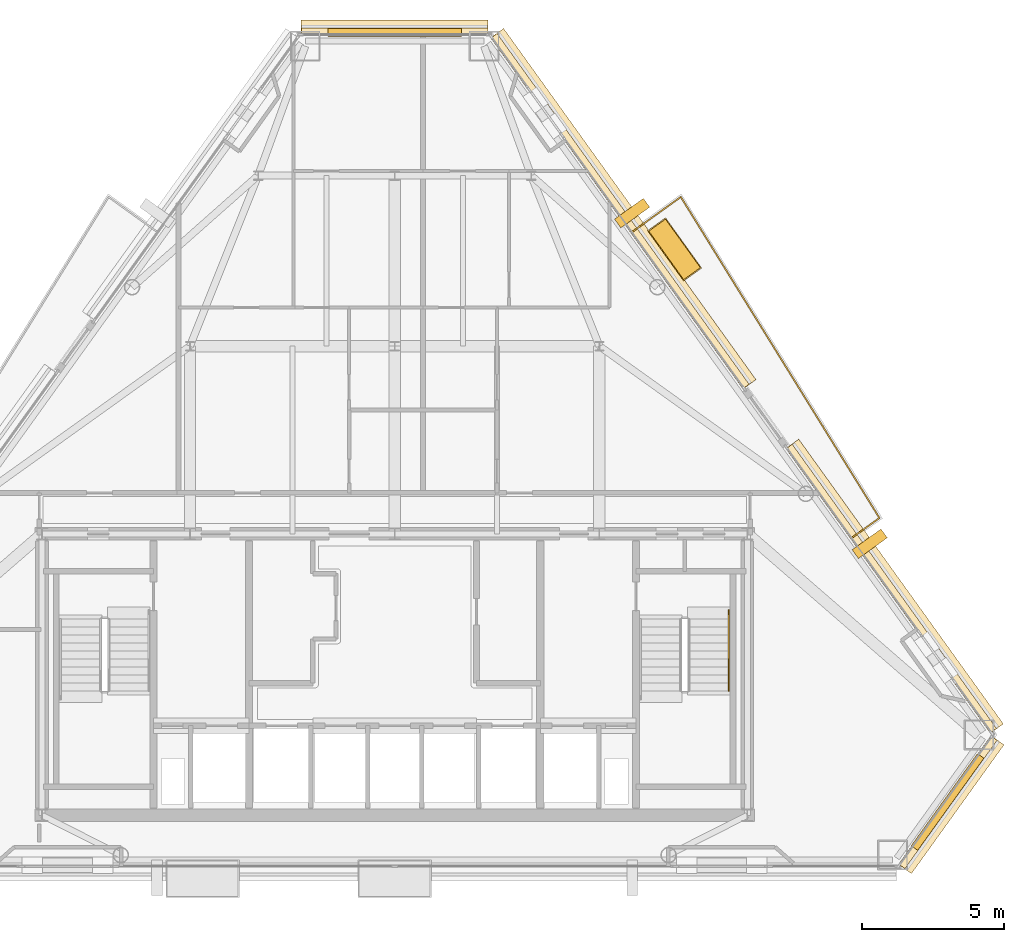
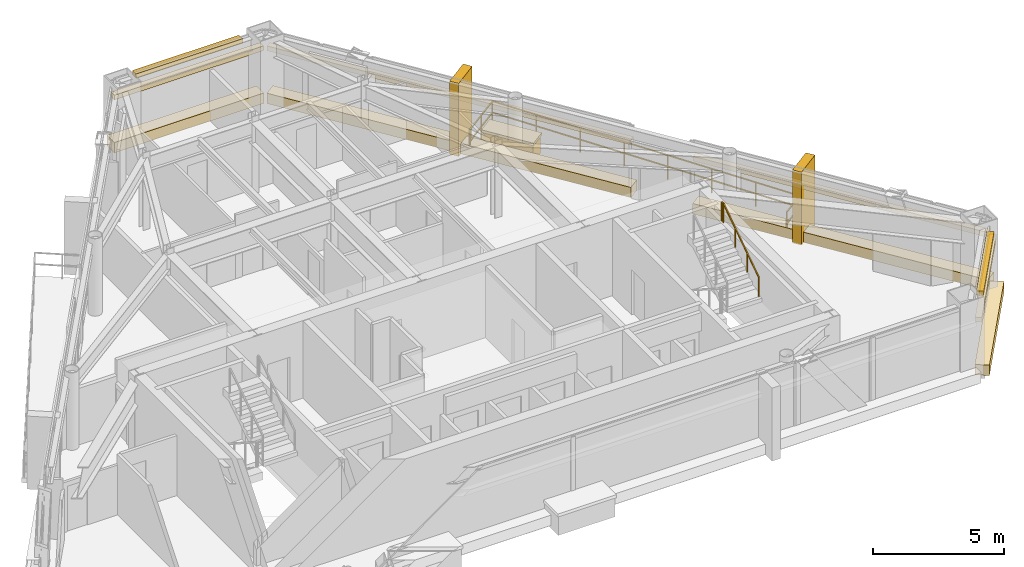
# One storey, part 11 of 11: 12 coverings, 2 railings, 2 shading devices.
"""IFC4 building model written with IfcOpenShell, lengths in metres."""

from ifc_helpers import new_model, si_unit, direction, frame, origin, origin_2d, place, context, subcontext, project, spatial, rectangle, extrude, source, transform, mapped, material, layer, layer_set, type_object, type_shapes, element, save


model = new_model("IFC4")

# Units and contexts
model_context = context("Model", 3, precision=1e-05, world=origin(), true_north=direction((0.0, 1.0)))
body_context = subcontext(model_context, "Body", "Model", "MODEL_VIEW")
ifc_project = project(units=[si_unit("LENGTHUNIT", "METRE"), si_unit("AREAUNIT", "SQUARE_METRE"), si_unit("VOLUMEUNIT", "CUBIC_METRE"), si_unit("PLANEANGLEUNIT", "RADIAN"), si_unit("MASSUNIT", "GRAM", prefix="KILO")], contexts=[model_context])

# Site, building, storey
site_placement = place(None, origin())
site = spatial("IfcSite", under=ifc_project, at=site_placement, CompositionType="ELEMENT")
building_placement = place(site_placement, origin())
building = spatial("IfcBuilding", under=site, at=building_placement, Name="Talgorran Terracotta Tower", CompositionType="ELEMENT")
storey_placement = place(building_placement, frame((0.0, 0.0, 210.89990234375)))
storey = spatial("IfcBuildingStorey", under=building, at=storey_placement, Name="L55", CompositionType="ELEMENT", Elevation=210.89990234375)

# Coverings
ifc_material_1 = material(Name="Kiln-Fired Terracotta Ochre Ceramic", Category="masonry")
ifc_layer_1 = layer(ifc_material_1, 0.179931640625, Name="COV_BAGUETTE_TERRACOTTA_SCREEN")
ifc_layer_set_1 = layer_set([ifc_layer_1], Name="Kiln-Fired Terracotta Ochre Ceramic")
covering_type_1 = type_object("IfcCoveringType", Name="COV_BAGUETTE_TERRACOTTA_SCREEN", PredefinedType="CLADDING", material=ifc_layer_set_1)
covering_1_placement = place(storey_placement, frame((19.459716796875, -13.6416015625, 2.41015625), z_axis=(0.0, 0.0, 1.0), x_axis=(0.583555384799, 0.812073342053, 0.0)))
element("IfcCovering", 1, at=covering_1_placement, inside=storey, type_object=covering_type_1, Name="L55 Terracotta Baguette Solar Screen Assembly F2", PredefinedType="CLADDING", context=body_context, shape_type="SweptSolid", body=[
    extrude(rectangle(XDim=5.557861328125, YDim=0.260009765625, at=origin_2d()), origin(), (0.0, 0.0, 1.0), 0.219970703125),
])
covering_2_placement = place(storey_placement, frame((17.466552734375, -6.1240234375, 2.41015625), z_axis=(0.0, 0.0, 1.0), x_axis=(-0.583555384799, 0.812073342053, 0.0)))
element("IfcCovering", 2, at=covering_2_placement, inside=storey, type_object=covering_type_1, Name="L55 Terracotta Baguette Solar Screen Assembly F40", PredefinedType="CLADDING", context=body_context, shape_type="SweptSolid", body=[
    extrude(rectangle(XDim=12.30859375, YDim=0.260009765625, at=origin_2d()), origin(), (0.0, 0.0, 1.0), 0.219970703125),
])
covering_3_placement = place(storey_placement, frame((7.926513671875, 7.15185546875, 2.41015625), z_axis=(0.0, 0.0, 1.0), x_axis=(-0.583555384799, 0.812073342053, 0.0)))
element("IfcCovering", 3, at=covering_3_placement, inside=storey, type_object=covering_type_1, Name="L55 Terracotta Baguette Solar Screen Assembly F41", PredefinedType="CLADDING", context=body_context, shape_type="SweptSolid", body=[
    extrude(rectangle(XDim=15.187744140625, YDim=0.260009765625, at=origin_2d()), origin(), (0.0, 0.0, 1.0), 0.219970703125),
])
covering_4_placement = place(storey_placement, frame((0.0, 13.44970703125, 2.41015625), z_axis=(0.0, 0.0, 1.0), x_axis=(-1.0, 0.0, 0.0)))
element("IfcCovering", 4, at=covering_4_placement, inside=storey, type_object=covering_type_1, Name="L55 Terracotta Baguette Solar Screen Assembly F4", PredefinedType="CLADDING", context=body_context, shape_type="SweptSolid", body=[
    extrude(rectangle(XDim=6.5595703125, YDim=0.260009765625, at=origin_2d()), origin(), (0.0, 0.0, 1.0), 0.219970703125),
])
ifc_material_2 = material(Name="Honed Limestone and Terracotta Planter", Category="masonry")
ifc_layer_2 = layer(ifc_material_2, 0.1201171875, Name="COV_PLANTER_BOX")
ifc_layer_set_2 = layer_set([ifc_layer_2], Name="Honed Limestone and Terracotta Planter")
covering_type_2 = type_object("IfcCoveringType", Name="COV_PLANTER_BOX", PredefinedType="CLADDING", material=ifc_layer_set_2)
covering_5_placement = place(storey_placement, frame((9.84423828125, 5.802734375, -0.02001953125), z_axis=(0.0, 0.0, 1.0), x_axis=(-0.583555384799, 0.812073342053, 0.0)))
element("IfcCovering", 5, at=covering_5_placement, inside=storey, type_object=covering_type_2, Name="L55 Staggered Balcony Planter Box BAL-NE", PredefinedType="CLADDING", context=body_context, shape_type="SweptSolid", body=[
    extrude(rectangle(XDim=2.10009765625, YDim=0.719970703125, at=origin_2d()), origin(), (0.0, 0.0, 1.0), 0.860107421875),
])
ifc_material_3 = material(Name="Kiln-Fired Terracotta Planter Rim", Category="masonry")
ifc_layer_3 = layer(ifc_material_3, 0.10009765625, Name="COV_PLANTER_RIM")
ifc_layer_set_3 = layer_set([ifc_layer_3], Name="Kiln-Fired Terracotta Planter Rim")
covering_type_3 = type_object("IfcCoveringType", Name="COV_PLANTER_RIM", PredefinedType="CLADDING", material=ifc_layer_set_3)
covering_6_placement = place(storey_placement, frame((9.84423828125, 5.802734375, 0.800048828125), z_axis=(0.0, 0.0, 1.0), x_axis=(-0.583555384799, 0.812073342053, 0.0)))
element("IfcCovering", 6, at=covering_6_placement, inside=storey, type_object=covering_type_3, Name="L55 Balcony Planter Terracotta Rim BAL-NE", PredefinedType="CLADDING", context=body_context, shape_type="SweptSolid", body=[
    extrude(rectangle(XDim=2.179931640625, YDim=0.780029296875, at=origin_2d()), origin(), (0.0, 0.0, 1.0), 0.1201171875),
])
ifc_material_4 = material(Name="Honed Limestone Cladding", Category="masonry")
ifc_layer_4 = layer(ifc_material_4, 0.094970703125, Name="COV_PORTAL_LIME")
ifc_layer_set_4 = layer_set([ifc_layer_4], Name="Honed Limestone Cladding")
covering_type_4 = type_object("IfcCoveringType", Name="COV_PORTAL_LIME", PredefinedType="CLADDING", material=ifc_layer_set_4)
covering_7_placement = place(storey_placement, frame((16.705078125, -4.55029296875, -0.0498046875), z_axis=(0.0, 0.0, 1.0), x_axis=(-0.583555384799, 0.812073342053, 0.0)))
element("IfcCovering", 7, at=covering_7_placement, inside=storey, type_object=covering_type_4, Name="L55 White Striped Portal Fin F3-1", PredefinedType="CLADDING", context=body_context, shape_type="SweptSolid", body=[
    extrude(rectangle(XDim=0.3798828125, YDim=1.25, at=origin_2d()), origin(), (0.0, 0.0, 1.0), 3.39501953125),
])
ifc_material_5 = material(Name="Kiln-Fired Terracotta Cladding", Category="masonry")
ifc_layer_5 = layer(ifc_material_5, 0.090087890625, Name="COV_PORTAL_TERRA")
ifc_layer_set_5 = layer_set([ifc_layer_5], Name="Kiln-Fired Terracotta Cladding")
covering_type_5 = type_object("IfcCoveringType", Name="COV_PORTAL_TERRA", PredefinedType="CLADDING", material=ifc_layer_set_5)
covering_8_placement = place(storey_placement, frame((19.5732421875, -13.72314453125, -0.039794921875), z_axis=(0.0, 0.0, 1.0), x_axis=(0.583555384799, 0.812073342053, 0.0)))
element("IfcCovering", 8, at=covering_8_placement, inside=storey, type_object=covering_type_5, Name="L55 Striped Postmodern Portal Cladding Band F2", PredefinedType="CLADDING", context=body_context, shape_type="SweptSolid", body=[
    extrude(rectangle(XDim=5.577880859375, YDim=0.56005859375, at=origin_2d()), origin(), (0.0, 0.0, 1.0), 0.47998046875),
])
covering_9_placement = place(storey_placement, frame((17.580322265625, -6.04248046875, -0.039794921875), z_axis=(0.0, 0.0, 1.0), x_axis=(-0.583555384799, 0.812073342053, 0.0)))
element("IfcCovering", 9, at=covering_9_placement, inside=storey, type_object=covering_type_5, Name="L55 Striped Postmodern Portal Cladding Band F40", PredefinedType="CLADDING", context=body_context, shape_type="SweptSolid", body=[
    extrude(rectangle(XDim=12.32861328125, YDim=0.56005859375, at=origin_2d()), origin(), (0.0, 0.0, 1.0), 0.47998046875),
])
covering_10_placement = place(storey_placement, frame((8.040283203125, 7.2333984375, -0.039794921875), z_axis=(0.0, 0.0, 1.0), x_axis=(-0.583555384799, 0.812073342053, 0.0)))
element("IfcCovering", 10, at=covering_10_placement, inside=storey, type_object=covering_type_5, Name="L55 Striped Postmodern Portal Cladding Band F41", PredefinedType="CLADDING", context=body_context, shape_type="SweptSolid", body=[
    extrude(rectangle(XDim=15.207763671875, YDim=0.56005859375, at=origin_2d()), origin(), (0.0, 0.0, 1.0), 0.47998046875),
])
covering_11_placement = place(storey_placement, frame((0.0, 13.589599609375, -0.039794921875), z_axis=(0.0, 0.0, 1.0), x_axis=(-1.0, 0.0, 0.0)))
element("IfcCovering", 11, at=covering_11_placement, inside=storey, type_object=covering_type_5, Name="L55 Striped Postmodern Portal Cladding Band F4", PredefinedType="CLADDING", context=body_context, shape_type="SweptSolid", body=[
    extrude(rectangle(XDim=6.57958984375, YDim=0.56005859375, at=origin_2d()), origin(), (0.0, 0.0, 1.0), 0.47998046875),
])
covering_12_placement = place(storey_placement, frame((8.349609375, 7.0771484375, -0.0498046875), z_axis=(0.0, 0.0, 1.0), x_axis=(-0.583555384799, 0.812073342053, 0.0)))
element("IfcCovering", 12, at=covering_12_placement, inside=storey, type_object=covering_type_5, Name="L55 Terracotta Striped Portal Fin F3-2", PredefinedType="CLADDING", context=body_context, shape_type="SweptSolid", body=[
    extrude(rectangle(XDim=0.3798828125, YDim=1.25, at=origin_2d()), origin(), (0.0, 0.0, 1.0), 3.39501953125),
])

# Railings
ifc_material_6 = material(Name="Laminated Glass and Stainless Steel 316", Category="steel")
railing_type_1 = type_object("IfcRailingType", Name="RL_BALCONY_1150", PredefinedType="BALUSTRADE", material=ifc_material_6)
railing_1_placement = place(storey_placement, frame((16.0830078125, -4.3359375, 0.0)))
element("IfcRailing", 13, at=railing_1_placement, inside=storey, type_object=railing_type_1, Name="RL-L55-BAL-BAL-NE", PredefinedType="BALUSTRADE", context=body_context, shape_type="SweptSolid", body=[
    extrude(rectangle(XDim=0.048095703125, YDim=0.048095703125, at=origin_2d()), frame((0.0, 0.0, 1.1259765625), z_axis=(0.812216313414, 0.583356374976, 0.0), x_axis=(-0.583356374976, 0.812216313414, 0.0)), (0.0, 0.0, 1.0), 1.187255859375),
    extrude(rectangle(XDim=0.048095703125, YDim=0.048095703125, at=origin_2d()), frame((0.0, 0.0, 0.597900390625), z_axis=(0.812216313414, 0.583356374976, 0.0), x_axis=(-0.583356374976, 0.812216313414, 0.0)), (0.0, 0.0, 1.0), 1.187255859375),
    extrude(rectangle(XDim=0.048095703125, YDim=0.048095703125, at=origin_2d()), frame((0.96435546875, 0.692626953125, 1.1259765625), z_axis=(-0.526168473282, 0.850380348858, 0.0), x_axis=(-0.850380348858, -0.526168473282, 0.0)), (0.0, 0.0, 1.0), 13.27587890625),
    extrude(rectangle(XDim=0.048095703125, YDim=0.048095703125, at=origin_2d()), frame((0.96435546875, 0.692626953125, 0.597900390625), z_axis=(-0.526168473282, 0.850380348858, 0.0), x_axis=(-0.850380348858, -0.526168473282, 0.0)), (0.0, 0.0, 1.0), 13.27587890625),
    extrude(rectangle(XDim=0.048095703125, YDim=0.048095703125, at=origin_2d()), frame((-6.02099609375, 11.982177734375, 1.1259765625), z_axis=(-0.812066955595, -0.583564272065, 0.0), x_axis=(0.583564272065, -0.812066955595, 0.0)), (0.0, 0.0, 1.0), 2.102783203125),
    extrude(rectangle(XDim=0.048095703125, YDim=0.048095703125, at=origin_2d()), frame((-6.02099609375, 11.982177734375, 0.597900390625), z_axis=(-0.812066955595, -0.583564272065, 0.0), x_axis=(0.583564272065, -0.812066955595, 0.0)), (0.0, 0.0, 1.0), 2.102783203125),
    extrude(rectangle(XDim=0.0419921875, YDim=0.0419921875, at=origin_2d()), origin(), (0.0, 0.0, 1.0), 1.101806640625),
    extrude(rectangle(XDim=0.0419921875, YDim=0.0419921875, at=origin_2d()), frame((0.96435546875, 0.692626953125, 0.0)), (0.0, 0.0, 1.0), 1.101806640625),
    extrude(rectangle(XDim=0.0419921875, YDim=0.0419921875, at=origin_2d()), frame((-0.033447265625, 2.305419921875, 0.0)), (0.0, 0.0, 1.0), 1.101806640625),
    extrude(rectangle(XDim=0.0419921875, YDim=0.0419921875, at=origin_2d()), frame((-1.031494140625, 3.918212890625, 0.0)), (0.0, 0.0, 1.0), 1.101806640625),
    extrude(rectangle(XDim=0.0419921875, YDim=0.0419921875, at=origin_2d()), frame((-2.029296875, 5.531005859375, 0.0)), (0.0, 0.0, 1.0), 1.101806640625),
    extrude(rectangle(XDim=0.0419921875, YDim=0.0419921875, at=origin_2d()), frame((-3.02734375, 7.143798828125, 0.0)), (0.0, 0.0, 1.0), 1.101806640625),
    extrude(rectangle(XDim=0.0419921875, YDim=0.0419921875, at=origin_2d()), frame((-4.025146484375, 8.756591796875, 0.0)), (0.0, 0.0, 1.0), 1.101806640625),
    extrude(rectangle(XDim=0.0419921875, YDim=0.0419921875, at=origin_2d()), frame((-5.023193359375, 10.369384765625, 0.0)), (0.0, 0.0, 1.0), 1.101806640625),
    extrude(rectangle(XDim=0.0419921875, YDim=0.0419921875, at=origin_2d()), frame((-6.02099609375, 11.982177734375, 0.0)), (0.0, 0.0, 1.0), 1.101806640625),
    extrude(rectangle(XDim=0.0419921875, YDim=0.0419921875, at=origin_2d()), frame((-6.874755859375, 11.36865234375, 0.0)), (0.0, 0.0, 1.0), 1.101806640625),
    extrude(rectangle(XDim=0.0419921875, YDim=0.0419921875, at=origin_2d()), frame((-7.728515625, 10.755126953125, 0.0)), (0.0, 0.0, 1.0), 1.101806640625),
])
ifc_material_7 = material(Name="Steel S355 (300PLUS)", Category="steel")
railing_type_2 = type_object("IfcRailingType", Name="RL_HANDRAIL_920", PredefinedType="HANDRAIL", material=ifc_material_7)
railing_2_placement = place(storey_placement, frame((11.75, -9.719970703125, 1.97998046875)))
element("IfcRailing", 14, at=railing_2_placement, inside=storey, type_object=railing_type_2, Name="L55 ST-02 stair handrail 2", PredefinedType="HANDRAIL", context=body_context, shape_type="SweptSolid", body=[
    extrude(rectangle(XDim=0.048095703125, YDim=0.048095703125, at=origin_2d()), frame((0.0, 0.0, 0.89599609375), z_axis=(0.0, 0.832038719335, 0.554717558338), x_axis=(-1.0, 0.0, 0.0)), (0.0, 0.0, 1.0), 3.244873046875),
    extrude(rectangle(XDim=0.048095703125, YDim=0.048095703125, at=origin_2d()), frame((0.0, 2.699951171875, 2.69580078125), z_axis=(0.0, 1.0, 0.0), x_axis=(-1.0, 0.0, 0.0)), (0.0, 0.0, 1.0), 0.1201171875),
    extrude(rectangle(XDim=0.0419921875, YDim=0.0419921875, at=origin_2d()), origin(), (0.0, 0.0, 1.0), 0.871826171875),
    extrude(rectangle(XDim=0.0419921875, YDim=0.0419921875, at=origin_2d()), frame((0.0, 0.89990234375, 0.60009765625)), (0.0, 0.0, 1.0), 0.871826171875),
    extrude(rectangle(XDim=0.0419921875, YDim=0.0419921875, at=origin_2d()), frame((0.0, 1.800048828125, 1.199951171875)), (0.0, 0.0, 1.0), 0.871826171875),
    extrude(rectangle(XDim=0.0419921875, YDim=0.0419921875, at=origin_2d()), frame((0.0, 2.699951171875, 1.800048828125)), (0.0, 0.0, 1.0), 0.871826171875),
    extrude(rectangle(XDim=0.0419921875, YDim=0.0419921875, at=origin_2d()), frame((0.0, 2.820068359375, 1.800048828125)), (0.0, 0.0, 1.0), 0.871826171875),
])

# Shading devices
ifc_material_8 = material(Name="Kiln-Fired Terracotta", Category="masonry")
ifc_layer_6 = layer(ifc_material_8, 0.280029296875, Name="SHD_SUNSHADE_TERRA")
ifc_layer_set_6 = layer_set([ifc_layer_6], Name="Kiln-Fired Terracotta")
shading_device_type = type_object("IfcShadingDeviceType", Name="SHD_SUNSHADE_TERRA", PredefinedType="AWNING", material=ifc_layer_set_6)
shared_shape_1 = source(origin(), body_context, "Body", "SweptSolid", [
    extrude(rectangle(XDim=3.988525390625, YDim=0.280029296875, at=origin_2d()), origin(), (0.0, 0.0, 1.0), 0.199951171875),
])
shading_device_1_placement = place(storey_placement, frame((19.443359375, -13.6298828125, 3.10498046875), z_axis=(0.0, 0.0, 1.0), x_axis=(0.583555384799, 0.812073342053, 0.0)))
element("IfcShadingDevice", 15, at=shading_device_1_placement, inside=storey, type_object=shading_device_type, Name="SHD-BROW-L55-F2", PredefinedType="AWNING", context=body_context, shape_type="MappedRepresentation", body=[
    mapped(shared_shape_1, transform((0.0, 0.0, 0.0), scale=1.0)),
])
shared_shape_2 = source(origin(), body_context, "Body", "SweptSolid", [
    extrude(rectangle(XDim=4.689697265625, YDim=0.280029296875, at=origin_2d()), origin(), (0.0, 0.0, 1.0), 0.199951171875),
])
type_shapes(shading_device_type, [shared_shape_1, shared_shape_2])
shading_device_2_placement = place(storey_placement, frame((0.0, 13.4296875, 3.10498046875), z_axis=(0.0, 0.0, 1.0), x_axis=(-1.0, 0.0, 0.0)))
element("IfcShadingDevice", 16, at=shading_device_2_placement, inside=storey, type_object=shading_device_type, Name="SHD-BROW-L55-F4", PredefinedType="AWNING", context=body_context, shape_type="MappedRepresentation", body=[
    mapped(shared_shape_2, transform((0.0, 0.0, 0.0), scale=1.0)),
])

save(model, "model.ifc")
